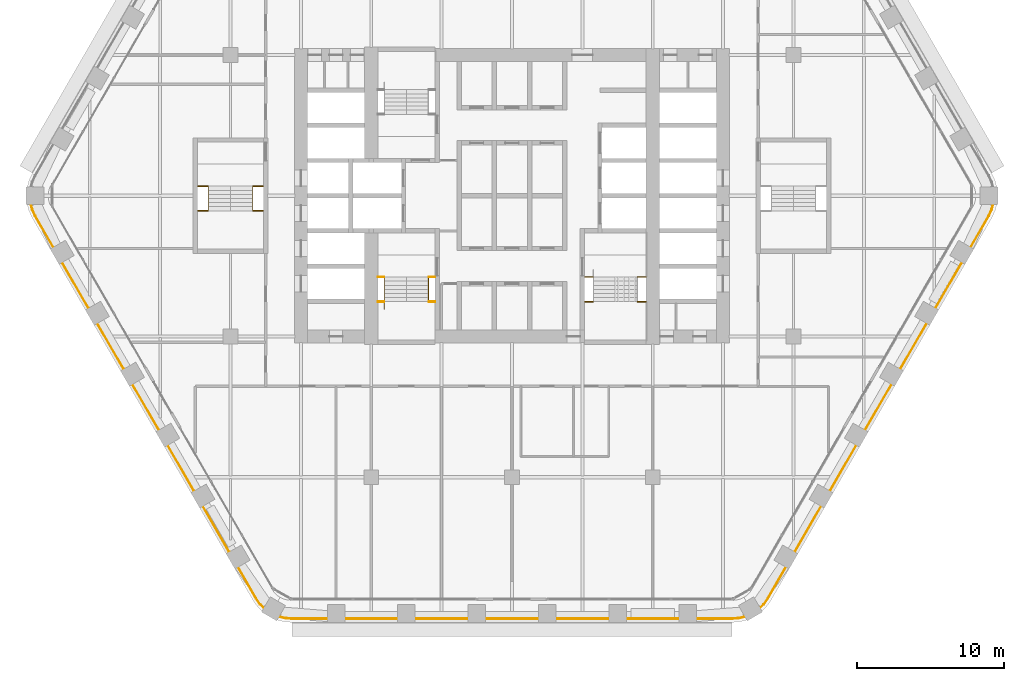
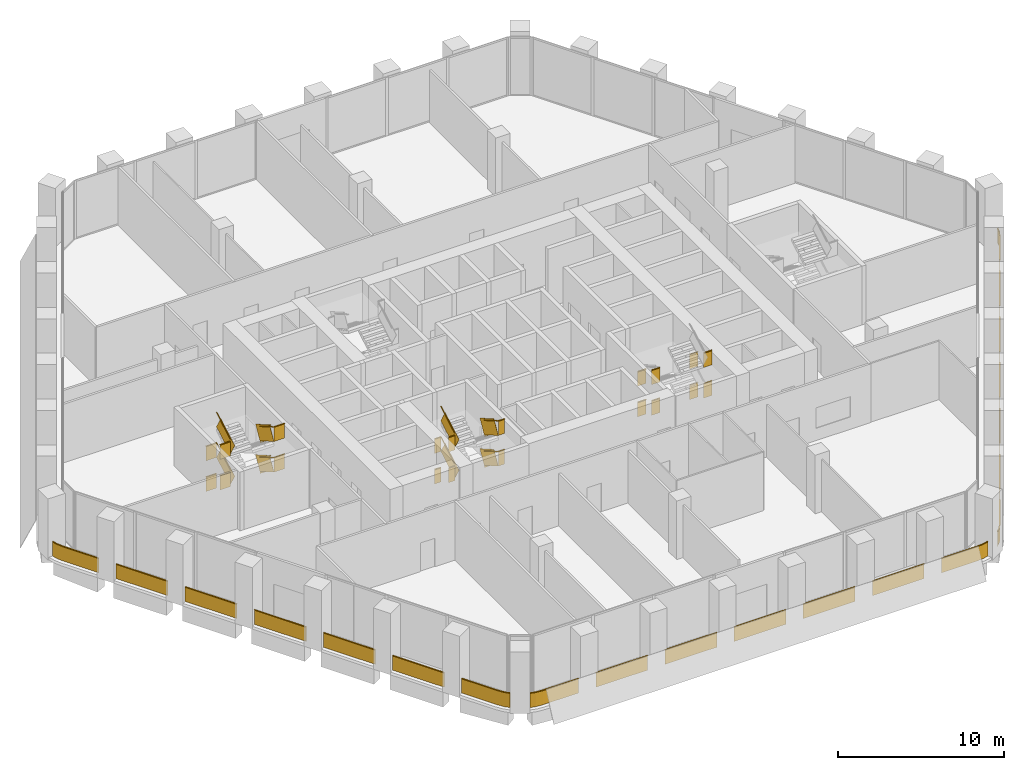
# One storey, part 21 of 22: 8 railings.
"""IFC4 building model written with IfcOpenShell, lengths in metres."""

from ifc_helpers import new_model, si_unit, direction, frame, frame_2d, origin, origin_2d, place, context, subcontext, project, spatial, rectangle, extrude, material, type_object, element, save


model = new_model("IFC4")

# Units and contexts
model_context = context("Model", 3, precision=1e-05, world=origin(), true_north=direction((0.0, 1.0)))
body_context = subcontext(model_context, "Body", "Model", "MODEL_VIEW")
ifc_project = project(units=[si_unit("LENGTHUNIT", "METRE"), si_unit("AREAUNIT", "SQUARE_METRE"), si_unit("VOLUMEUNIT", "CUBIC_METRE"), si_unit("PLANEANGLEUNIT", "RADIAN"), si_unit("MASSUNIT", "GRAM", prefix="KILO")], contexts=[model_context])

# Site, building, storey
site_placement = place(None, origin())
site = spatial("IfcSite", under=ifc_project, at=site_placement, CompositionType="ELEMENT")
building_placement = place(site_placement, origin())
building = spatial("IfcBuilding", under=site, at=building_placement, Name="Kolab Exchange Tower", CompositionType="ELEMENT")
storey_placement = place(building_placement, frame((0.0, 0.0, 82.39990234375)))
storey = spatial("IfcBuildingStorey", under=building, at=storey_placement, Name="L15", CompositionType="ELEMENT", Elevation=82.39990234375)

# Railings
ifc_material_1 = material(Name="Stainless steel 316", Category="steel")
railing_type_1 = type_object("IfcRailingType", Name="GUARD 1100", PredefinedType="GUARDRAIL", material=ifc_material_1)
railing_1_placement = place(storey_placement, frame((-9.14990234375, -5.550048828125, 0.0)))
element("IfcRailing", 1, at=railing_1_placement, inside=storey, type_object=railing_type_1, Name="Guard ST3", PredefinedType="GUARDRAIL", context=body_context, shape_type="SweptSolid", body=[
    extrude(rectangle(XDim=0.05, YDim=0.05, at=origin_2d()), frame((0.0, 0.0, 1.0751953125), z_axis=(1.0, 0.0, 0.0), x_axis=(0.0, 1.0, 0.0)), (0.0, 0.0, 1.0), 0.43994140625),
    extrude(rectangle(XDim=0.012, YDim=1.05009765625, at=frame_2d((0.0, 0.525146484375))), frame((0.0, 0.0, 0.0), z_axis=(1.0, 0.0, 0.0), x_axis=(0.0, 1.0, 0.0)), (0.0, 0.0, 1.0), 0.43994140625),
    extrude(rectangle(XDim=0.05, YDim=0.05, at=origin_2d()), frame((3.4599609375, 0.0, 1.0751953125), z_axis=(1.0, 0.0, 0.0), x_axis=(0.0, 1.0, 0.0)), (0.0, 0.0, 1.0), 0.43994140625),
    extrude(rectangle(XDim=0.012, YDim=1.05009765625, at=frame_2d((0.0, 0.525146484375))), frame((3.4599609375, 0.0, 0.0), z_axis=(1.0, 0.0, 0.0), x_axis=(0.0, 1.0, 0.0)), (0.0, 0.0, 1.0), 0.43994140625),
    extrude(rectangle(XDim=0.05, YDim=0.05, at=origin_2d()), frame((0.0, -1.679931640625, 2.2001953125), z_axis=(1.0, 0.0, 0.0), x_axis=(0.0, 1.0, 0.0)), (0.0, 0.0, 1.0), 0.43994140625),
    extrude(rectangle(XDim=0.012, YDim=1.05009765625, at=frame_2d((0.0, 0.525146484375))), frame((0.0, -1.679931640625, 1.125), z_axis=(1.0, 0.0, 0.0), x_axis=(0.0, 1.0, 0.0)), (0.0, 0.0, 1.0), 0.43994140625),
    extrude(rectangle(XDim=0.05, YDim=0.05, at=origin_2d()), frame((3.4599609375, -1.679931640625, 2.2001953125), z_axis=(1.0, 0.0, 0.0), x_axis=(0.0, 1.0, 0.0)), (0.0, 0.0, 1.0), 0.43994140625),
    extrude(rectangle(XDim=0.012, YDim=1.05009765625, at=frame_2d((0.0, 0.525146484375))), frame((3.4599609375, -1.679931640625, 1.125), z_axis=(1.0, 0.0, 0.0), x_axis=(0.0, 1.0, 0.0)), (0.0, 0.0, 1.0), 0.43994140625),
    extrude(rectangle(XDim=0.05, YDim=0.05, at=origin_2d()), frame((0.0, 0.0, 3.3251953125), z_axis=(1.0, 0.0, 0.0), x_axis=(0.0, 1.0, 0.0)), (0.0, 0.0, 1.0), 0.43994140625),
    extrude(rectangle(XDim=0.012, YDim=1.05009765625, at=frame_2d((0.0, 0.525146484375))), frame((0.0, 0.0, 2.25), z_axis=(1.0, 0.0, 0.0), x_axis=(0.0, 1.0, 0.0)), (0.0, 0.0, 1.0), 0.43994140625),
    extrude(rectangle(XDim=0.05, YDim=0.05, at=origin_2d()), frame((3.4599609375, 0.0, 3.3251953125), z_axis=(1.0, 0.0, 0.0), x_axis=(0.0, 1.0, 0.0)), (0.0, 0.0, 1.0), 0.43994140625),
    extrude(rectangle(XDim=0.012, YDim=1.05009765625, at=frame_2d((0.0, 0.525146484375))), frame((3.4599609375, 0.0, 2.25), z_axis=(1.0, 0.0, 0.0), x_axis=(0.0, 1.0, 0.0)), (0.0, 0.0, 1.0), 0.43994140625),
    extrude(rectangle(XDim=0.05, YDim=0.05, at=origin_2d()), frame((0.0, -1.679931640625, 4.4501953125), z_axis=(1.0, 0.0, 0.0), x_axis=(0.0, 1.0, 0.0)), (0.0, 0.0, 1.0), 0.43994140625),
    extrude(rectangle(XDim=0.012, YDim=1.05009765625, at=frame_2d((0.0, 0.525146484375))), frame((0.0, -1.679931640625, 3.375), z_axis=(1.0, 0.0, 0.0), x_axis=(0.0, 1.0, 0.0)), (0.0, 0.0, 1.0), 0.43994140625),
    extrude(rectangle(XDim=0.05, YDim=0.05, at=origin_2d()), frame((3.4599609375, -1.679931640625, 4.4501953125), z_axis=(1.0, 0.0, 0.0), x_axis=(0.0, 1.0, 0.0)), (0.0, 0.0, 1.0), 0.43994140625),
    extrude(rectangle(XDim=0.012, YDim=1.05009765625, at=frame_2d((0.0, 0.525146484375))), frame((3.4599609375, -1.679931640625, 3.375), z_axis=(1.0, 0.0, 0.0), x_axis=(0.0, 1.0, 0.0)), (0.0, 0.0, 1.0), 0.43994140625),
])
railing_2_placement = place(storey_placement, frame((-5.68994140625, -5.550048828125, 0.160888671875)))
element("IfcRailing", 2, at=railing_2_placement, inside=storey, type_object=railing_type_1, Name="Handrail guard ST3", PredefinedType="GUARDRAIL", context=body_context, shape_type="SweptSolid", body=[
    extrude(rectangle(XDim=0.05, YDim=0.05, at=origin_2d()), frame((0.0, 0.0, 1.0751953125), z_axis=(0.0, -0.867318599139, 0.497753400378), x_axis=(1.0, 0.0, 0.0)), (0.0, 0.0, 1.0), 1.93701171875),
    extrude(rectangle(XDim=0.012, YDim=1.05009765625, at=frame_2d((0.0, 0.525146484375))), frame((0.0, 0.0, 0.0), z_axis=(0.0, -0.867318599139, 0.497753400378), x_axis=(1.0, 0.0, 0.0)), (0.0, 0.0, 1.0), 1.93701171875),
    extrude(rectangle(XDim=0.05, YDim=0.05, at=origin_2d()), frame((-3.02001953125, -1.679931640625, 2.2001953125), z_axis=(0.0, 0.867318599139, 0.497753400378), x_axis=(-1.0, 0.0, 0.0)), (0.0, 0.0, 1.0), 1.93701171875),
    extrude(rectangle(XDim=0.012, YDim=1.05009765625, at=frame_2d((0.0, 0.525146484375))), frame((-3.02001953125, -1.679931640625, 1.125), z_axis=(0.0, 0.867318599139, 0.497753400378), x_axis=(-1.0, 0.0, 0.0)), (0.0, 0.0, 1.0), 1.93701171875),
    extrude(rectangle(XDim=0.05, YDim=0.05, at=origin_2d()), frame((0.0, 0.0, 3.3251953125), z_axis=(0.0, -0.867318599139, 0.497753400378), x_axis=(1.0, 0.0, 0.0)), (0.0, 0.0, 1.0), 1.93701171875),
    extrude(rectangle(XDim=0.012, YDim=1.05009765625, at=frame_2d((0.0, 0.525146484375))), frame((0.0, 0.0, 2.25), z_axis=(0.0, -0.867318599139, 0.497753400378), x_axis=(1.0, 0.0, 0.0)), (0.0, 0.0, 1.0), 1.93701171875),
    extrude(rectangle(XDim=0.05, YDim=0.05, at=origin_2d()), frame((-3.02001953125, -1.679931640625, 4.4501953125), z_axis=(0.0, 0.867318599139, 0.497753400378), x_axis=(-1.0, 0.0, 0.0)), (0.0, 0.0, 1.0), 1.93701171875),
    extrude(rectangle(XDim=0.012, YDim=1.05009765625, at=frame_2d((0.0, 0.525146484375))), frame((-3.02001953125, -1.679931640625, 3.375), z_axis=(0.0, 0.867318599139, 0.497753400378), x_axis=(-1.0, 0.0, 0.0)), (0.0, 0.0, 1.0), 1.93701171875),
])
railing_3_placement = place(storey_placement, frame((4.949951171875, -5.550048828125, 0.0)))
element("IfcRailing", 3, at=railing_3_placement, inside=storey, type_object=railing_type_1, Name="Guard ST2", PredefinedType="GUARDRAIL", context=body_context, shape_type="SweptSolid", body=[
    extrude(rectangle(XDim=0.05, YDim=0.05, at=origin_2d()), frame((0.0, 0.0, 1.0751953125), z_axis=(1.0, 0.0, 0.0), x_axis=(0.0, 1.0, 0.0)), (0.0, 0.0, 1.0), 0.590087890625),
    extrude(rectangle(XDim=0.012, YDim=1.05009765625, at=frame_2d((0.0, 0.525146484375))), frame((0.0, 0.0, 0.0), z_axis=(1.0, 0.0, 0.0), x_axis=(0.0, 1.0, 0.0)), (0.0, 0.0, 1.0), 0.590087890625),
    extrude(rectangle(XDim=0.05, YDim=0.05, at=origin_2d()), frame((3.610107421875, 0.0, 1.0751953125), z_axis=(1.0, 0.0, 0.0), x_axis=(0.0, 1.0, 0.0)), (0.0, 0.0, 1.0), 0.58984375),
    extrude(rectangle(XDim=0.012, YDim=1.05009765625, at=frame_2d((0.0, 0.525146484375))), frame((3.610107421875, 0.0, 0.0), z_axis=(1.0, 0.0, 0.0), x_axis=(0.0, 1.0, 0.0)), (0.0, 0.0, 1.0), 0.58984375),
    extrude(rectangle(XDim=0.05, YDim=0.05, at=origin_2d()), frame((0.0, -1.679931640625, 2.2001953125), z_axis=(1.0, 0.0, 0.0), x_axis=(0.0, 1.0, 0.0)), (0.0, 0.0, 1.0), 0.590087890625),
    extrude(rectangle(XDim=0.012, YDim=1.05009765625, at=frame_2d((0.0, 0.525146484375))), frame((0.0, -1.679931640625, 1.125), z_axis=(1.0, 0.0, 0.0), x_axis=(0.0, 1.0, 0.0)), (0.0, 0.0, 1.0), 0.590087890625),
    extrude(rectangle(XDim=0.05, YDim=0.05, at=origin_2d()), frame((3.610107421875, -1.679931640625, 2.2001953125), z_axis=(1.0, 0.0, 0.0), x_axis=(0.0, 1.0, 0.0)), (0.0, 0.0, 1.0), 0.58984375),
    extrude(rectangle(XDim=0.012, YDim=1.05009765625, at=frame_2d((0.0, 0.525146484375))), frame((3.610107421875, -1.679931640625, 1.125), z_axis=(1.0, 0.0, 0.0), x_axis=(0.0, 1.0, 0.0)), (0.0, 0.0, 1.0), 0.58984375),
    extrude(rectangle(XDim=0.05, YDim=0.05, at=origin_2d()), frame((0.0, 0.0, 3.3251953125), z_axis=(1.0, 0.0, 0.0), x_axis=(0.0, 1.0, 0.0)), (0.0, 0.0, 1.0), 0.590087890625),
    extrude(rectangle(XDim=0.012, YDim=1.05009765625, at=frame_2d((0.0, 0.525146484375))), frame((0.0, 0.0, 2.25), z_axis=(1.0, 0.0, 0.0), x_axis=(0.0, 1.0, 0.0)), (0.0, 0.0, 1.0), 0.590087890625),
    extrude(rectangle(XDim=0.05, YDim=0.05, at=origin_2d()), frame((3.610107421875, 0.0, 3.3251953125), z_axis=(1.0, 0.0, 0.0), x_axis=(0.0, 1.0, 0.0)), (0.0, 0.0, 1.0), 0.58984375),
    extrude(rectangle(XDim=0.012, YDim=1.05009765625, at=frame_2d((0.0, 0.525146484375))), frame((3.610107421875, 0.0, 2.25), z_axis=(1.0, 0.0, 0.0), x_axis=(0.0, 1.0, 0.0)), (0.0, 0.0, 1.0), 0.58984375),
    extrude(rectangle(XDim=0.05, YDim=0.05, at=origin_2d()), frame((0.0, -1.679931640625, 4.4501953125), z_axis=(1.0, 0.0, 0.0), x_axis=(0.0, 1.0, 0.0)), (0.0, 0.0, 1.0), 0.590087890625),
    extrude(rectangle(XDim=0.012, YDim=1.05009765625, at=frame_2d((0.0, 0.525146484375))), frame((0.0, -1.679931640625, 3.375), z_axis=(1.0, 0.0, 0.0), x_axis=(0.0, 1.0, 0.0)), (0.0, 0.0, 1.0), 0.590087890625),
    extrude(rectangle(XDim=0.05, YDim=0.05, at=origin_2d()), frame((3.610107421875, -1.679931640625, 4.4501953125), z_axis=(1.0, 0.0, 0.0), x_axis=(0.0, 1.0, 0.0)), (0.0, 0.0, 1.0), 0.58984375),
    extrude(rectangle(XDim=0.012, YDim=1.05009765625, at=frame_2d((0.0, 0.525146484375))), frame((3.610107421875, -1.679931640625, 3.375), z_axis=(1.0, 0.0, 0.0), x_axis=(0.0, 1.0, 0.0)), (0.0, 0.0, 1.0), 0.58984375),
])
railing_4_placement = place(storey_placement, frame((-21.449951171875, 0.64990234375, 0.0)))
element("IfcRailing", 4, at=railing_4_placement, inside=storey, type_object=railing_type_1, Name="Guard ST5", PredefinedType="GUARDRAIL", context=body_context, shape_type="SweptSolid", body=[
    extrude(rectangle(XDim=0.05, YDim=0.05, at=origin_2d()), frame((0.0, 0.0, 1.0751953125), z_axis=(1.0, 0.0, 0.0), x_axis=(0.0, 1.0, 0.0)), (0.0, 0.0, 1.0), 0.739990234375),
    extrude(rectangle(XDim=0.012, YDim=1.05009765625, at=frame_2d((0.0, 0.525146484375))), frame((0.0, 0.0, 0.0), z_axis=(1.0, 0.0, 0.0), x_axis=(0.0, 1.0, 0.0)), (0.0, 0.0, 1.0), 0.739990234375),
    extrude(rectangle(XDim=0.05, YDim=0.05, at=origin_2d()), frame((3.760009765625, 0.0, 1.0751953125), z_axis=(1.0, 0.0, 0.0), x_axis=(0.0, 1.0, 0.0)), (0.0, 0.0, 1.0), 0.739990234375),
    extrude(rectangle(XDim=0.012, YDim=1.05009765625, at=frame_2d((0.0, 0.525146484375))), frame((3.760009765625, 0.0, 0.0), z_axis=(1.0, 0.0, 0.0), x_axis=(0.0, 1.0, 0.0)), (0.0, 0.0, 1.0), 0.739990234375),
    extrude(rectangle(XDim=0.05, YDim=0.05, at=origin_2d()), frame((0.0, -1.679931640625, 2.2001953125), z_axis=(1.0, 0.0, 0.0), x_axis=(0.0, 1.0, 0.0)), (0.0, 0.0, 1.0), 0.739990234375),
    extrude(rectangle(XDim=0.012, YDim=1.05009765625, at=frame_2d((0.0, 0.525146484375))), frame((0.0, -1.679931640625, 1.125), z_axis=(1.0, 0.0, 0.0), x_axis=(0.0, 1.0, 0.0)), (0.0, 0.0, 1.0), 0.739990234375),
    extrude(rectangle(XDim=0.05, YDim=0.05, at=origin_2d()), frame((3.760009765625, -1.679931640625, 2.2001953125), z_axis=(1.0, 0.0, 0.0), x_axis=(0.0, 1.0, 0.0)), (0.0, 0.0, 1.0), 0.739990234375),
    extrude(rectangle(XDim=0.012, YDim=1.05009765625, at=frame_2d((0.0, 0.525146484375))), frame((3.760009765625, -1.679931640625, 1.125), z_axis=(1.0, 0.0, 0.0), x_axis=(0.0, 1.0, 0.0)), (0.0, 0.0, 1.0), 0.739990234375),
    extrude(rectangle(XDim=0.05, YDim=0.05, at=origin_2d()), frame((0.0, 0.0, 3.3251953125), z_axis=(1.0, 0.0, 0.0), x_axis=(0.0, 1.0, 0.0)), (0.0, 0.0, 1.0), 0.739990234375),
    extrude(rectangle(XDim=0.012, YDim=1.05009765625, at=frame_2d((0.0, 0.525146484375))), frame((0.0, 0.0, 2.25), z_axis=(1.0, 0.0, 0.0), x_axis=(0.0, 1.0, 0.0)), (0.0, 0.0, 1.0), 0.739990234375),
    extrude(rectangle(XDim=0.05, YDim=0.05, at=origin_2d()), frame((3.760009765625, 0.0, 3.3251953125), z_axis=(1.0, 0.0, 0.0), x_axis=(0.0, 1.0, 0.0)), (0.0, 0.0, 1.0), 0.739990234375),
    extrude(rectangle(XDim=0.012, YDim=1.05009765625, at=frame_2d((0.0, 0.525146484375))), frame((3.760009765625, 0.0, 2.25), z_axis=(1.0, 0.0, 0.0), x_axis=(0.0, 1.0, 0.0)), (0.0, 0.0, 1.0), 0.739990234375),
    extrude(rectangle(XDim=0.05, YDim=0.05, at=origin_2d()), frame((0.0, -1.679931640625, 4.4501953125), z_axis=(1.0, 0.0, 0.0), x_axis=(0.0, 1.0, 0.0)), (0.0, 0.0, 1.0), 0.739990234375),
    extrude(rectangle(XDim=0.012, YDim=1.05009765625, at=frame_2d((0.0, 0.525146484375))), frame((0.0, -1.679931640625, 3.375), z_axis=(1.0, 0.0, 0.0), x_axis=(0.0, 1.0, 0.0)), (0.0, 0.0, 1.0), 0.739990234375),
    extrude(rectangle(XDim=0.05, YDim=0.05, at=origin_2d()), frame((3.760009765625, -1.679931640625, 4.4501953125), z_axis=(1.0, 0.0, 0.0), x_axis=(0.0, 1.0, 0.0)), (0.0, 0.0, 1.0), 0.739990234375),
    extrude(rectangle(XDim=0.012, YDim=1.05009765625, at=frame_2d((0.0, 0.525146484375))), frame((3.760009765625, -1.679931640625, 3.375), z_axis=(1.0, 0.0, 0.0), x_axis=(0.0, 1.0, 0.0)), (0.0, 0.0, 1.0), 0.739990234375),
])
railing_5_placement = place(storey_placement, frame((-17.68994140625, 0.64990234375, 0.160888671875)))
element("IfcRailing", 5, at=railing_5_placement, inside=storey, type_object=railing_type_1, Name="Handrail guard ST5", PredefinedType="GUARDRAIL", context=body_context, shape_type="SweptSolid", body=[
    extrude(rectangle(XDim=0.05, YDim=0.05, at=origin_2d()), frame((0.0, 0.0, 1.0751953125), z_axis=(0.0, -0.867318599139, 0.497753400378), x_axis=(1.0, 0.0, 0.0)), (0.0, 0.0, 1.0), 1.93701171875),
    extrude(rectangle(XDim=0.012, YDim=1.05009765625, at=frame_2d((0.0, 0.525146484375))), frame((0.0, 0.0, 0.0), z_axis=(0.0, -0.867318599139, 0.497753400378), x_axis=(1.0, 0.0, 0.0)), (0.0, 0.0, 1.0), 1.93701171875),
    extrude(rectangle(XDim=0.05, YDim=0.05, at=origin_2d()), frame((-3.02001953125, -1.679931640625, 2.2001953125), z_axis=(0.0, 0.867318599139, 0.497753400378), x_axis=(-1.0, 0.0, 0.0)), (0.0, 0.0, 1.0), 1.93701171875),
    extrude(rectangle(XDim=0.012, YDim=1.05009765625, at=frame_2d((0.0, 0.525146484375))), frame((-3.02001953125, -1.679931640625, 1.125), z_axis=(0.0, 0.867318599139, 0.497753400378), x_axis=(-1.0, 0.0, 0.0)), (0.0, 0.0, 1.0), 1.93701171875),
    extrude(rectangle(XDim=0.05, YDim=0.05, at=origin_2d()), frame((0.0, 0.0, 3.3251953125), z_axis=(0.0, -0.867318599139, 0.497753400378), x_axis=(1.0, 0.0, 0.0)), (0.0, 0.0, 1.0), 1.93701171875),
    extrude(rectangle(XDim=0.012, YDim=1.05009765625, at=frame_2d((0.0, 0.525146484375))), frame((0.0, 0.0, 2.25), z_axis=(0.0, -0.867318599139, 0.497753400378), x_axis=(1.0, 0.0, 0.0)), (0.0, 0.0, 1.0), 1.93701171875),
    extrude(rectangle(XDim=0.05, YDim=0.05, at=origin_2d()), frame((-3.02001953125, -1.679931640625, 4.4501953125), z_axis=(0.0, 0.867318599139, 0.497753400378), x_axis=(-1.0, 0.0, 0.0)), (0.0, 0.0, 1.0), 1.93701171875),
    extrude(rectangle(XDim=0.012, YDim=1.05009765625, at=frame_2d((0.0, 0.525146484375))), frame((-3.02001953125, -1.679931640625, 3.375), z_axis=(0.0, 0.867318599139, 0.497753400378), x_axis=(-1.0, 0.0, 0.0)), (0.0, 0.0, 1.0), 1.93701171875),
])
ifc_material_2 = material(Name="Steel S235", Category="steel")
railing_type_2 = type_object("IfcRailingType", Name="GUARD 1100 GLASS BALUSTRADE AND STEEL TOP RAIL", PredefinedType="GUARDRAIL", material=ifc_material_2)
railing_6_placement = place(storey_placement, frame((16.9208984375, -28.119873046875, 0.0)))
element("IfcRailing", 6, at=railing_6_placement, inside=storey, type_object=railing_type_2, Name="Guard", PredefinedType="GUARDRAIL", context=body_context, shape_type="SweptSolid", body=[
    extrude(rectangle(XDim=0.05, YDim=0.05, at=origin_2d()), frame((0.0, 0.0, 1.0751953125), z_axis=(0.707106781187, 0.707106781187, 0.0), x_axis=(-0.707106781187, 0.707106781187, 0.0)), (0.0, 0.0, 1.0), 0.358642578125),
    extrude(rectangle(XDim=0.012, YDim=1.05009765625, at=frame_2d((0.0, 0.525146484375))), frame((0.0, 0.0, 0.0), z_axis=(0.707106781187, 0.707106781187, 0.0), x_axis=(-0.707106781187, 0.707106781187, 0.0)), (0.0, 0.0, 1.0), 0.358642578125),
    extrude(rectangle(XDim=0.05, YDim=0.05, at=origin_2d()), frame((0.253662109375, 0.253662109375, 1.0751953125), z_axis=(0.573359816273, 0.819303680624, 0.0), x_axis=(-0.819303680624, 0.573359816273, 0.0)), (0.0, 0.0, 1.0), 0.4794921875),
    extrude(rectangle(XDim=0.012, YDim=1.05009765625, at=frame_2d((0.0, 0.525146484375))), frame((0.253662109375, 0.253662109375, 0.0), z_axis=(0.573359816273, 0.819303680624, 0.0), x_axis=(-0.819303680624, 0.573359816273, 0.0)), (0.0, 0.0, 1.0), 0.4794921875),
    extrude(rectangle(XDim=0.05, YDim=0.05, at=origin_2d()), frame((0.528564453125, 0.646484375, 1.0751953125), z_axis=(0.500064973171, 0.865987888257, 0.0), x_axis=(-0.865987888257, 0.500064973171, 0.0)), (0.0, 0.0, 1.0), 2.468017578125),
    extrude(rectangle(XDim=0.012, YDim=1.05009765625, at=frame_2d((0.0, 0.525146484375))), frame((0.528564453125, 0.646484375, 0.0), z_axis=(0.500064973171, 0.865987888257, 0.0), x_axis=(-0.865987888257, 0.500064973171, 0.0)), (0.0, 0.0, 1.0), 2.468017578125),
    extrude(rectangle(XDim=0.05, YDim=0.05, at=origin_2d()), frame((2.362548828125, 3.822998046875, 1.0751953125), z_axis=(0.500012057535, 0.866018442252, 0.0), x_axis=(-0.866018442252, 0.500012057535, 0.0)), (0.0, 0.0, 1.0), 3.60009765625),
    extrude(rectangle(XDim=0.012, YDim=1.05009765625, at=frame_2d((0.0, 0.525146484375))), frame((2.362548828125, 3.822998046875, 0.0), z_axis=(0.500012057535, 0.866018442252, 0.0), x_axis=(-0.866018442252, 0.500012057535, 0.0)), (0.0, 0.0, 1.0), 3.60009765625),
    extrude(rectangle(XDim=0.05, YDim=0.05, at=origin_2d()), frame((4.7626953125, 7.97998046875, 1.0751953125), z_axis=(0.499961193289, 0.866047807691, 0.0), x_axis=(-0.866047807691, 0.499961193289, 0.0)), (0.0, 0.0, 1.0), 3.599853515625),
    extrude(rectangle(XDim=0.012, YDim=1.05009765625, at=frame_2d((0.0, 0.525146484375))), frame((4.7626953125, 7.97998046875, 0.0), z_axis=(0.499961193289, 0.866047807691, 0.0), x_axis=(-0.866047807691, 0.499961193289, 0.0)), (0.0, 0.0, 1.0), 3.599853515625),
    extrude(rectangle(XDim=0.05, YDim=0.05, at=origin_2d()), frame((7.16259765625, 12.13671875, 1.0751953125), z_axis=(0.500012057535, 0.866018442252, 0.0), x_axis=(-0.866018442252, 0.500012057535, 0.0)), (0.0, 0.0, 1.0), 3.60009765625),
    extrude(rectangle(XDim=0.012, YDim=1.05009765625, at=frame_2d((0.0, 0.525146484375))), frame((7.16259765625, 12.13671875, 0.0), z_axis=(0.500012057535, 0.866018442252, 0.0), x_axis=(-0.866018442252, 0.500012057535, 0.0)), (0.0, 0.0, 1.0), 3.60009765625),
    extrude(rectangle(XDim=0.05, YDim=0.05, at=origin_2d()), frame((9.5625, 16.293701171875, 1.0751953125), z_axis=(0.500012057535, 0.866018442252, 0.0), x_axis=(-0.866018442252, 0.500012057535, 0.0)), (0.0, 0.0, 1.0), 3.60009765625),
    extrude(rectangle(XDim=0.012, YDim=1.05009765625, at=frame_2d((0.0, 0.525146484375))), frame((9.5625, 16.293701171875, 0.0), z_axis=(0.500012057535, 0.866018442252, 0.0), x_axis=(-0.866018442252, 0.500012057535, 0.0)), (0.0, 0.0, 1.0), 3.60009765625),
    extrude(rectangle(XDim=0.05, YDim=0.05, at=origin_2d()), frame((11.962646484375, 20.45068359375, 1.0751953125), z_axis=(0.500012057535, 0.866018442252, 0.0), x_axis=(-0.866018442252, 0.500012057535, 0.0)), (0.0, 0.0, 1.0), 3.60009765625),
    extrude(rectangle(XDim=0.012, YDim=1.05009765625, at=frame_2d((0.0, 0.525146484375))), frame((11.962646484375, 20.45068359375, 0.0), z_axis=(0.500012057535, 0.866018442252, 0.0), x_axis=(-0.866018442252, 0.500012057535, 0.0)), (0.0, 0.0, 1.0), 3.60009765625),
    extrude(rectangle(XDim=0.05, YDim=0.05, at=origin_2d()), frame((14.362548828125, 24.607666015625, 1.0751953125), z_axis=(0.500064973171, 0.865987888257, 0.0), x_axis=(-0.865987888257, 0.500064973171, 0.0)), (0.0, 0.0, 1.0), 2.468017578125),
    extrude(rectangle(XDim=0.012, YDim=1.05009765625, at=frame_2d((0.0, 0.525146484375))), frame((14.362548828125, 24.607666015625, 0.0), z_axis=(0.500064973171, 0.865987888257, 0.0), x_axis=(-0.865987888257, 0.500064973171, 0.0)), (0.0, 0.0, 1.0), 2.468017578125),
    extrude(rectangle(XDim=0.05, YDim=0.05, at=origin_2d()), frame((15.5966796875, 26.744873046875, 1.0751953125), z_axis=(0.422383329074, 0.906417300872, 0.0), x_axis=(-0.906417300872, 0.422383329074, 0.0)), (0.0, 0.0, 1.0), 0.479248046875),
    extrude(rectangle(XDim=0.012, YDim=1.05009765625, at=frame_2d((0.0, 0.525146484375))), frame((15.5966796875, 26.744873046875, 0.0), z_axis=(0.422383329074, 0.906417300872, 0.0), x_axis=(-0.906417300872, 0.422383329074, 0.0)), (0.0, 0.0, 1.0), 0.479248046875),
    extrude(rectangle(XDim=0.05, YDim=0.05, at=origin_2d()), frame((15.799072265625, 27.17919921875, 1.0751953125), z_axis=(0.259144041577, 0.965838685141, 0.0), x_axis=(-0.965838685141, 0.259144041577, 0.0)), (0.0, 0.0, 1.0), 0.35888671875),
    extrude(rectangle(XDim=0.012, YDim=1.05009765625, at=frame_2d((0.0, 0.525146484375))), frame((15.799072265625, 27.17919921875, 0.0), z_axis=(0.259144041577, 0.965838685141, 0.0), x_axis=(-0.965838685141, 0.259144041577, 0.0)), (0.0, 0.0, 1.0), 0.35888671875),
])
railing_7_placement = place(storey_placement, frame((-15.89208984375, -28.7138671875, 0.0)))
element("IfcRailing", 7, at=railing_7_placement, inside=storey, type_object=railing_type_2, Name="Guard", PredefinedType="GUARDRAIL", context=body_context, shape_type="SweptSolid", body=[
    extrude(rectangle(XDim=0.05, YDim=0.05, at=origin_2d()), frame((0.0, 0.0, 1.0751953125), z_axis=(0.966008746817, -0.258509382951, 0.0), x_axis=(0.258509382951, 0.966008746817, 0.0)), (0.0, 0.0, 1.0), 0.35888671875),
    extrude(rectangle(XDim=0.012, YDim=1.05009765625, at=frame_2d((0.0, 0.525146484375))), frame((0.0, 0.0, 0.0), z_axis=(0.966008746817, -0.258509382951, 0.0), x_axis=(0.258509382951, 0.966008746817, 0.0)), (0.0, 0.0, 1.0), 0.35888671875),
    extrude(rectangle(XDim=0.05, YDim=0.05, at=origin_2d()), frame((0.3466796875, -0.0927734375, 1.0751953125), z_axis=(0.996200348447, -0.087091134757, 0.0), x_axis=(0.087091134757, 0.996200348447, 0.0)), (0.0, 0.0, 1.0), 0.479248046875),
    extrude(rectangle(XDim=0.012, YDim=1.05009765625, at=frame_2d((0.0, 0.525146484375))), frame((0.3466796875, -0.0927734375, 0.0), z_axis=(0.996200348447, -0.087091134757, 0.0), x_axis=(0.087091134757, 0.996200348447, 0.0)), (0.0, 0.0, 1.0), 0.479248046875),
    extrude(rectangle(XDim=0.05, YDim=0.05, at=origin_2d()), frame((0.82421875, -0.134521484375, 1.0751953125), z_axis=(1.0, 0.0, 0.0), x_axis=(0.0, 1.0, 0.0)), (0.0, 0.0, 1.0), 2.4677734375),
    extrude(rectangle(XDim=0.012, YDim=1.05009765625, at=frame_2d((0.0, 0.525146484375))), frame((0.82421875, -0.134521484375, 0.0), z_axis=(1.0, 0.0, 0.0), x_axis=(0.0, 1.0, 0.0)), (0.0, 0.0, 1.0), 2.4677734375),
    extrude(rectangle(XDim=0.05, YDim=0.05, at=origin_2d()), frame((4.4921875, -0.134521484375, 1.0751953125), z_axis=(1.0, 0.0, 0.0), x_axis=(0.0, 1.0, 0.0)), (0.0, 0.0, 1.0), 3.599853515625),
    extrude(rectangle(XDim=0.012, YDim=1.05009765625, at=frame_2d((0.0, 0.525146484375))), frame((4.4921875, -0.134521484375, 0.0), z_axis=(1.0, 0.0, 0.0), x_axis=(0.0, 1.0, 0.0)), (0.0, 0.0, 1.0), 3.599853515625),
    extrude(rectangle(XDim=0.05, YDim=0.05, at=origin_2d()), frame((9.2919921875, -0.134521484375, 1.0751953125), z_axis=(1.0, 0.0, 0.0), x_axis=(0.0, 1.0, 0.0)), (0.0, 0.0, 1.0), 3.60009765625),
    extrude(rectangle(XDim=0.012, YDim=1.05009765625, at=frame_2d((0.0, 0.525146484375))), frame((9.2919921875, -0.134521484375, 0.0), z_axis=(1.0, 0.0, 0.0), x_axis=(0.0, 1.0, 0.0)), (0.0, 0.0, 1.0), 3.60009765625),
    extrude(rectangle(XDim=0.05, YDim=0.05, at=origin_2d()), frame((14.092041015625, -0.134521484375, 1.0751953125), z_axis=(1.0, 0.0, 0.0), x_axis=(0.0, 1.0, 0.0)), (0.0, 0.0, 1.0), 3.60009765625),
    extrude(rectangle(XDim=0.012, YDim=1.05009765625, at=frame_2d((0.0, 0.525146484375))), frame((14.092041015625, -0.134521484375, 0.0), z_axis=(1.0, 0.0, 0.0), x_axis=(0.0, 1.0, 0.0)), (0.0, 0.0, 1.0), 3.60009765625),
    extrude(rectangle(XDim=0.05, YDim=0.05, at=origin_2d()), frame((18.89208984375, -0.134521484375, 1.0751953125), z_axis=(1.0, 0.0, 0.0), x_axis=(0.0, 1.0, 0.0)), (0.0, 0.0, 1.0), 3.60009765625),
    extrude(rectangle(XDim=0.012, YDim=1.05009765625, at=frame_2d((0.0, 0.525146484375))), frame((18.89208984375, -0.134521484375, 0.0), z_axis=(1.0, 0.0, 0.0), x_axis=(0.0, 1.0, 0.0)), (0.0, 0.0, 1.0), 3.60009765625),
    extrude(rectangle(XDim=0.05, YDim=0.05, at=origin_2d()), frame((23.692138671875, -0.134521484375, 1.0751953125), z_axis=(1.0, 0.0, 0.0), x_axis=(0.0, 1.0, 0.0)), (0.0, 0.0, 1.0), 3.599853515625),
    extrude(rectangle(XDim=0.012, YDim=1.05009765625, at=frame_2d((0.0, 0.525146484375))), frame((23.692138671875, -0.134521484375, 0.0), z_axis=(1.0, 0.0, 0.0), x_axis=(0.0, 1.0, 0.0)), (0.0, 0.0, 1.0), 3.599853515625),
    extrude(rectangle(XDim=0.05, YDim=0.05, at=origin_2d()), frame((28.4921875, -0.134521484375, 1.0751953125), z_axis=(1.0, 0.0, 0.0), x_axis=(0.0, 1.0, 0.0)), (0.0, 0.0, 1.0), 2.4677734375),
    extrude(rectangle(XDim=0.012, YDim=1.05009765625, at=frame_2d((0.0, 0.525146484375))), frame((28.4921875, -0.134521484375, 0.0), z_axis=(1.0, 0.0, 0.0), x_axis=(0.0, 1.0, 0.0)), (0.0, 0.0, 1.0), 2.4677734375),
    extrude(rectangle(XDim=0.05, YDim=0.05, at=origin_2d()), frame((30.9599609375, -0.134521484375, 1.0751953125), z_axis=(0.996200348447, 0.087091134757, 0.0), x_axis=(-0.087091134757, 0.996200348447, 0.0)), (0.0, 0.0, 1.0), 0.479248046875),
    extrude(rectangle(XDim=0.012, YDim=1.05009765625, at=frame_2d((0.0, 0.525146484375))), frame((30.9599609375, -0.134521484375, 0.0), z_axis=(0.996200348447, 0.087091134757, 0.0), x_axis=(-0.087091134757, 0.996200348447, 0.0)), (0.0, 0.0, 1.0), 0.479248046875),
    extrude(rectangle(XDim=0.05, YDim=0.05, at=origin_2d()), frame((31.4375, -0.0927734375, 1.0751953125), z_axis=(0.966008746817, 0.258509382951, 0.0), x_axis=(-0.258509382951, 0.966008746817, 0.0)), (0.0, 0.0, 1.0), 0.35888671875),
    extrude(rectangle(XDim=0.012, YDim=1.05009765625, at=frame_2d((0.0, 0.525146484375))), frame((31.4375, -0.0927734375, 0.0), z_axis=(0.966008746817, 0.258509382951, 0.0), x_axis=(-0.258509382951, 0.966008746817, 0.0)), (0.0, 0.0, 1.0), 0.35888671875),
])
railing_8_placement = place(storey_placement, frame((-32.81298828125, -0.593994140625, 0.0)))
element("IfcRailing", 8, at=railing_8_placement, inside=storey, type_object=railing_type_2, Name="Guard", PredefinedType="GUARDRAIL", context=body_context, shape_type="SweptSolid", body=[
    extrude(rectangle(XDim=0.05, YDim=0.05, at=origin_2d()), frame((0.0, 0.0, 1.0751953125), z_axis=(0.259144041577, -0.965838685141, 0.0), x_axis=(0.965838685141, 0.259144041577, 0.0)), (0.0, 0.0, 1.0), 0.35888671875),
    extrude(rectangle(XDim=0.012, YDim=1.05009765625, at=frame_2d((0.0, 0.525146484375))), frame((0.0, 0.0, 0.0), z_axis=(0.259144041577, -0.965838685141, 0.0), x_axis=(0.965838685141, 0.259144041577, 0.0)), (0.0, 0.0, 1.0), 0.35888671875),
    extrude(rectangle(XDim=0.05, YDim=0.05, at=origin_2d()), frame((0.093017578125, -0.3466796875, 1.0751953125), z_axis=(0.422383329074, -0.906417300872, 0.0), x_axis=(0.906417300872, 0.422383329074, 0.0)), (0.0, 0.0, 1.0), 0.479248046875),
    extrude(rectangle(XDim=0.012, YDim=1.05009765625, at=frame_2d((0.0, 0.525146484375))), frame((0.093017578125, -0.3466796875, 0.0), z_axis=(0.422383329074, -0.906417300872, 0.0), x_axis=(0.906417300872, 0.422383329074, 0.0)), (0.0, 0.0, 1.0), 0.479248046875),
    extrude(rectangle(XDim=0.05, YDim=0.05, at=origin_2d()), frame((0.29541015625, -0.781005859375, 1.0751953125), z_axis=(0.500064973171, -0.865987888257, 0.0), x_axis=(0.865987888257, 0.500064973171, 0.0)), (0.0, 0.0, 1.0), 2.468017578125),
    extrude(rectangle(XDim=0.012, YDim=1.05009765625, at=frame_2d((0.0, 0.525146484375))), frame((0.29541015625, -0.781005859375, 0.0), z_axis=(0.500064973171, -0.865987888257, 0.0), x_axis=(0.865987888257, 0.500064973171, 0.0)), (0.0, 0.0, 1.0), 2.468017578125),
    extrude(rectangle(XDim=0.05, YDim=0.05, at=origin_2d()), frame((2.12939453125, -3.95751953125, 1.0751953125), z_axis=(0.500012057535, -0.866018442252, 0.0), x_axis=(0.866018442252, 0.500012057535, 0.0)), (0.0, 0.0, 1.0), 3.60009765625),
    extrude(rectangle(XDim=0.012, YDim=1.05009765625, at=frame_2d((0.0, 0.525146484375))), frame((2.12939453125, -3.95751953125, 0.0), z_axis=(0.500012057535, -0.866018442252, 0.0), x_axis=(0.866018442252, 0.500012057535, 0.0)), (0.0, 0.0, 1.0), 3.60009765625),
    extrude(rectangle(XDim=0.05, YDim=0.05, at=origin_2d()), frame((4.529541015625, -8.114501953125, 1.0751953125), z_axis=(0.500012057535, -0.866018442252, 0.0), x_axis=(0.866018442252, 0.500012057535, 0.0)), (0.0, 0.0, 1.0), 3.60009765625),
    extrude(rectangle(XDim=0.012, YDim=1.05009765625, at=frame_2d((0.0, 0.525146484375))), frame((4.529541015625, -8.114501953125, 0.0), z_axis=(0.500012057535, -0.866018442252, 0.0), x_axis=(0.866018442252, 0.500012057535, 0.0)), (0.0, 0.0, 1.0), 3.60009765625),
    extrude(rectangle(XDim=0.05, YDim=0.05, at=origin_2d()), frame((6.929443359375, -12.271484375, 1.0751953125), z_axis=(0.500012057535, -0.866018442252, 0.0), x_axis=(0.866018442252, 0.500012057535, 0.0)), (0.0, 0.0, 1.0), 3.60009765625),
    extrude(rectangle(XDim=0.012, YDim=1.05009765625, at=frame_2d((0.0, 0.525146484375))), frame((6.929443359375, -12.271484375, 0.0), z_axis=(0.500012057535, -0.866018442252, 0.0), x_axis=(0.866018442252, 0.500012057535, 0.0)), (0.0, 0.0, 1.0), 3.60009765625),
    extrude(rectangle(XDim=0.05, YDim=0.05, at=origin_2d()), frame((9.32958984375, -16.42822265625, 1.0751953125), z_axis=(0.499961193289, -0.866047807691, 0.0), x_axis=(0.866047807691, 0.499961193289, 0.0)), (0.0, 0.0, 1.0), 3.599853515625),
    extrude(rectangle(XDim=0.012, YDim=1.05009765625, at=frame_2d((0.0, 0.525146484375))), frame((9.32958984375, -16.42822265625, 0.0), z_axis=(0.499961193289, -0.866047807691, 0.0), x_axis=(0.866047807691, 0.499961193289, 0.0)), (0.0, 0.0, 1.0), 3.599853515625),
    extrude(rectangle(XDim=0.05, YDim=0.05, at=origin_2d()), frame((11.7294921875, -20.585205078125, 1.0751953125), z_axis=(0.500012057535, -0.866018442252, 0.0), x_axis=(0.866018442252, 0.500012057535, 0.0)), (0.0, 0.0, 1.0), 3.60009765625),
    extrude(rectangle(XDim=0.012, YDim=1.05009765625, at=frame_2d((0.0, 0.525146484375))), frame((11.7294921875, -20.585205078125, 0.0), z_axis=(0.500012057535, -0.866018442252, 0.0), x_axis=(0.866018442252, 0.500012057535, 0.0)), (0.0, 0.0, 1.0), 3.60009765625),
    extrude(rectangle(XDim=0.05, YDim=0.05, at=origin_2d()), frame((14.12939453125, -24.7421875, 1.0751953125), z_axis=(0.500064973171, -0.865987888257, 0.0), x_axis=(0.865987888257, 0.500064973171, 0.0)), (0.0, 0.0, 1.0), 2.468017578125),
    extrude(rectangle(XDim=0.012, YDim=1.05009765625, at=frame_2d((0.0, 0.525146484375))), frame((14.12939453125, -24.7421875, 0.0), z_axis=(0.500064973171, -0.865987888257, 0.0), x_axis=(0.865987888257, 0.500064973171, 0.0)), (0.0, 0.0, 1.0), 2.468017578125),
    extrude(rectangle(XDim=0.05, YDim=0.05, at=origin_2d()), frame((15.363525390625, -26.87939453125, 1.0751953125), z_axis=(0.573359816273, -0.819303680624, 0.0), x_axis=(0.819303680624, 0.573359816273, 0.0)), (0.0, 0.0, 1.0), 0.4794921875),
    extrude(rectangle(XDim=0.012, YDim=1.05009765625, at=frame_2d((0.0, 0.525146484375))), frame((15.363525390625, -26.87939453125, 0.0), z_axis=(0.573359816273, -0.819303680624, 0.0), x_axis=(0.819303680624, 0.573359816273, 0.0)), (0.0, 0.0, 1.0), 0.4794921875),
    extrude(rectangle(XDim=0.05, YDim=0.05, at=origin_2d()), frame((15.638427734375, -27.272216796875, 1.0751953125), z_axis=(0.707106781187, -0.707106781187, 0.0), x_axis=(0.707106781187, 0.707106781187, 0.0)), (0.0, 0.0, 1.0), 0.358642578125),
    extrude(rectangle(XDim=0.012, YDim=1.05009765625, at=frame_2d((0.0, 0.525146484375))), frame((15.638427734375, -27.272216796875, 0.0), z_axis=(0.707106781187, -0.707106781187, 0.0), x_axis=(0.707106781187, 0.707106781187, 0.0)), (0.0, 0.0, 1.0), 0.358642578125),
])

save(model, "model.ifc")
